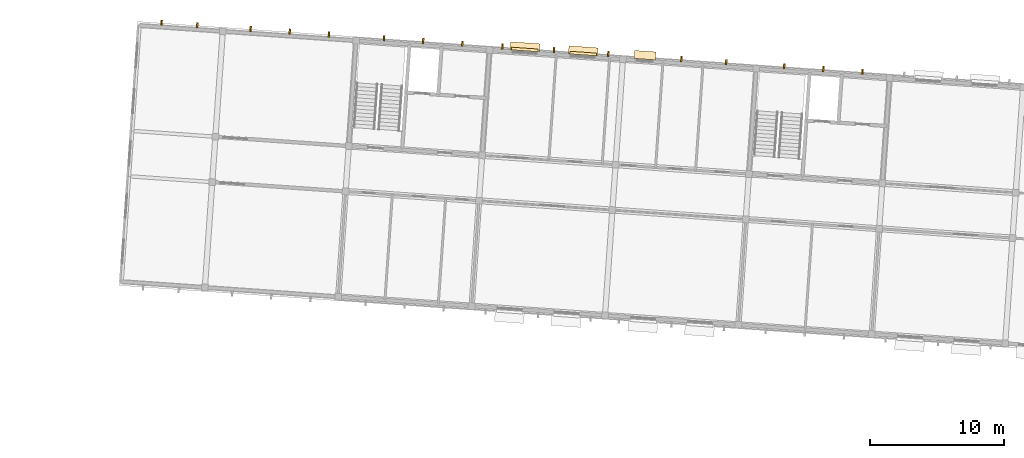
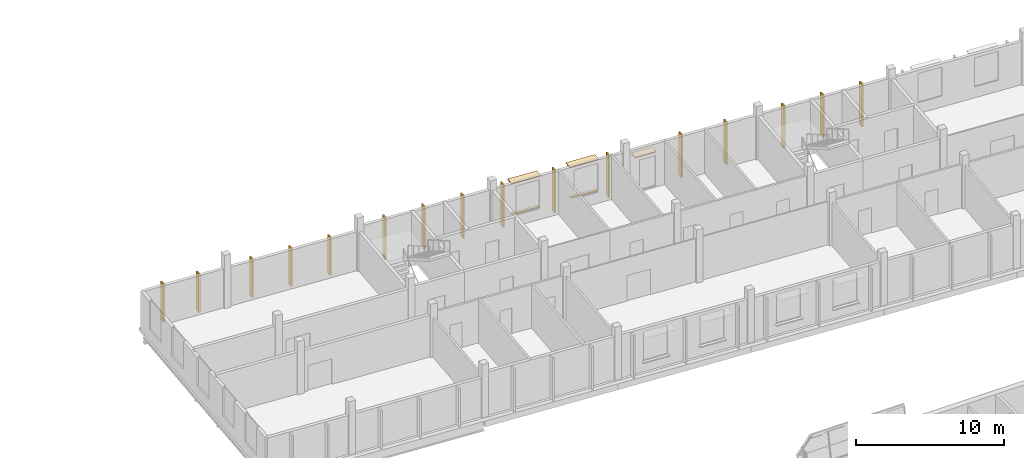
# One storey, part 95 of 95: 16 shading devices, 5 coverings.
"""IFC4 building model written with IfcOpenShell, lengths in metres."""

from ifc_helpers import new_model, si_unit, direction, frame, origin, place, context, subcontext, project, spatial, polyline, outline, extrude, material, layer, layer_set, type_object, element, save


model = new_model("IFC4")

# Units and contexts
model_context = context("Model", 3, precision=1e-05, world=origin(), true_north=direction((0.0, 1.0)))
body_context = subcontext(model_context, "Body", "Model", "MODEL_VIEW")
ifc_project = project(units=[si_unit("LENGTHUNIT", "METRE"), si_unit("AREAUNIT", "SQUARE_METRE"), si_unit("VOLUMEUNIT", "CUBIC_METRE"), si_unit("PLANEANGLEUNIT", "RADIAN"), si_unit("MASSUNIT", "GRAM", prefix="KILO")], contexts=[model_context])

# Site, building, storey
site_placement = place(None, origin())
site = spatial("IfcSite", under=ifc_project, at=site_placement, CompositionType="ELEMENT")
building_placement = place(site_placement, origin())
building = spatial("IfcBuilding", under=site, at=building_placement, Name="Windward Yard Aquatics Centre", CompositionType="ELEMENT")
storey_placement = place(building_placement, frame((0.0, 0.0, 9.39990234375)))
storey = spatial("IfcBuildingStorey", under=building, at=storey_placement, Name="L02", CompositionType="ELEMENT", Elevation=9.39990234375)

# Shading devices
ifc_material_1 = material(Name="Timber-look aluminium batten, powder coated", Category="wood")
shading_device_type = type_object("IfcShadingDeviceType", Name="W vertical fin 120x400", PredefinedType="USERDEFINED", material=ifc_material_1)
shading_device_1_placement = place(storey_placement, origin())
element("IfcShadingDevice", 1, at=shading_device_1_placement, inside=storey, type_object=shading_device_type, Name="Vertical fin W.FW.L02.N.30.2.1.1", ObjectType="FIN", PredefinedType="USERDEFINED", context=body_context, shape_type="SweptSolid", body=[
    extrude(outline(polyline([(104.55029296875, 136.468994140625), (104.669921875, 136.460693359375), (104.69775390625, 136.859619140625), (104.578125, 136.867919921875), (104.55029296875, 136.468994140625)])), origin(), (0.0, 0.0, 1.0), 3.156005859375),
])
shading_device_2_placement = place(storey_placement, origin())
element("IfcShadingDevice", 2, at=shading_device_2_placement, inside=storey, type_object=shading_device_type, Name="Vertical fin W.FW.L02.N.30.2.1.2", ObjectType="FIN", PredefinedType="USERDEFINED", context=body_context, shape_type="SweptSolid", body=[
    extrude(outline(polyline([(107.21875, 136.282470703125), (107.33837890625, 136.27392578125), (107.3662109375, 136.673095703125), (107.24658203125, 136.681396484375), (107.21875, 136.282470703125)])), origin(), (0.0, 0.0, 1.0), 3.156005859375),
])
shading_device_3_placement = place(storey_placement, origin())
element("IfcShadingDevice", 3, at=shading_device_3_placement, inside=storey, type_object=shading_device_type, Name="Vertical fin W.FW.L02.N.36.8.1.1", ObjectType="FIN", PredefinedType="USERDEFINED", context=body_context, shape_type="SweptSolid", body=[
    extrude(outline(polyline([(111.212890625, 136.003173828125), (111.332763671875, 135.99462890625), (111.360595703125, 136.393798828125), (111.240966796875, 136.402099609375), (111.212890625, 136.003173828125)])), origin(), (0.0, 0.0, 1.0), 3.156005859375),
])
shading_device_4_placement = place(storey_placement, origin())
element("IfcShadingDevice", 4, at=shading_device_4_placement, inside=storey, type_object=shading_device_type, Name="Vertical fin W.FW.L02.N.36.8.1.2", ObjectType="FIN", PredefinedType="USERDEFINED", context=body_context, shape_type="SweptSolid", body=[
    extrude(outline(polyline([(114.13916015625, 135.79833984375), (114.2587890625, 135.7900390625), (114.286865234375, 136.189208984375), (114.1669921875, 136.197509765625), (114.13916015625, 135.79833984375)])), origin(), (0.0, 0.0, 1.0), 3.156005859375),
])
shading_device_5_placement = place(storey_placement, origin())
element("IfcShadingDevice", 5, at=shading_device_5_placement, inside=storey, type_object=shading_device_type, Name="Vertical fin W.FW.L02.N.36.8.1.3", ObjectType="FIN", PredefinedType="USERDEFINED", context=body_context, shape_type="SweptSolid", body=[
    extrude(outline(polyline([(117.0654296875, 135.59375), (117.18505859375, 135.58544921875), (117.212890625, 135.984619140625), (117.09326171875, 135.992919921875), (117.0654296875, 135.59375)])), origin(), (0.0, 0.0, 1.0), 3.156005859375),
])
shading_device_6_placement = place(storey_placement, origin())
element("IfcShadingDevice", 6, at=shading_device_6_placement, inside=storey, type_object=shading_device_type, Name="Vertical fin W.FW.L02.N.46.8.1.1", ObjectType="FIN", PredefinedType="USERDEFINED", context=body_context, shape_type="SweptSolid", body=[
    extrude(outline(polyline([(121.188720703125, 135.305419921875), (121.308349609375, 135.297119140625), (121.336181640625, 135.696044921875), (121.216552734375, 135.70458984375), (121.188720703125, 135.305419921875)])), origin(), (0.0, 0.0, 1.0), 3.52001953125),
])
shading_device_7_placement = place(storey_placement, origin())
element("IfcShadingDevice", 7, at=shading_device_7_placement, inside=storey, type_object=shading_device_type, Name="Vertical fin W.FW.L02.N.46.8.1.2", ObjectType="FIN", PredefinedType="USERDEFINED", context=body_context, shape_type="SweptSolid", body=[
    extrude(outline(polyline([(124.114990234375, 135.100830078125), (124.234619140625, 135.092529296875), (124.262451171875, 135.491455078125), (124.142822265625, 135.5), (124.114990234375, 135.100830078125)])), origin(), (0.0, 0.0, 1.0), 3.52001953125),
])
shading_device_8_placement = place(storey_placement, origin())
element("IfcShadingDevice", 8, at=shading_device_8_placement, inside=storey, type_object=shading_device_type, Name="Vertical fin W.FW.L02.N.46.8.1.3", ObjectType="FIN", PredefinedType="USERDEFINED", context=body_context, shape_type="SweptSolid", body=[
    extrude(outline(polyline([(127.041015625, 134.896240234375), (127.16064453125, 134.8876953125), (127.188720703125, 135.286865234375), (127.06884765625, 135.295166015625), (127.041015625, 134.896240234375)])), origin(), (0.0, 0.0, 1.0), 3.52001953125),
])
shading_device_9_placement = place(storey_placement, origin())
element("IfcShadingDevice", 9, at=shading_device_9_placement, inside=storey, type_object=shading_device_type, Name="Vertical fin W.FW.L02.N.56.8.1.1", ObjectType="FIN", PredefinedType="USERDEFINED", context=body_context, shape_type="SweptSolid", body=[
    extrude(outline(polyline([(130.037841796875, 134.686767578125), (130.15771484375, 134.678466796875), (130.185546875, 135.077392578125), (130.06591796875, 135.085693359375), (130.037841796875, 134.686767578125)])), origin(), (0.0, 0.0, 1.0), 3.52001953125),
])
shading_device_10_placement = place(storey_placement, origin())
element("IfcShadingDevice", 10, at=shading_device_10_placement, inside=storey, type_object=shading_device_type, Name="Vertical fin W.FW.L02.N.56.8.2.1", ObjectType="FIN", PredefinedType="USERDEFINED", context=body_context, shape_type="SweptSolid", body=[
    extrude(outline(polyline([(133.903564453125, 134.41650390625), (134.023193359375, 134.407958984375), (134.051025390625, 134.80712890625), (133.931396484375, 134.8154296875), (133.903564453125, 134.41650390625)])), origin(), (0.0, 0.0, 1.0), 3.52001953125),
])
shading_device_11_placement = place(storey_placement, origin())
element("IfcShadingDevice", 11, at=shading_device_11_placement, inside=storey, type_object=shading_device_type, Name="Vertical fin W.FW.L02.N.56.8.3.1", ObjectType="FIN", PredefinedType="USERDEFINED", context=body_context, shape_type="SweptSolid", body=[
    extrude(outline(polyline([(137.9560546875, 134.133056640625), (138.07568359375, 134.12451171875), (138.103759765625, 134.523681640625), (137.98388671875, 134.531982421875), (137.9560546875, 134.133056640625)])), origin(), (0.0, 0.0, 1.0), 3.52001953125),
])
shading_device_12_placement = place(storey_placement, origin())
element("IfcShadingDevice", 12, at=shading_device_12_placement, inside=storey, type_object=shading_device_type, Name="Vertical fin W.FW.L02.N.66.8.1.1", ObjectType="FIN", PredefinedType="USERDEFINED", context=body_context, shape_type="SweptSolid", body=[
    extrude(outline(polyline([(143.424072265625, 133.75048828125), (143.543701171875, 133.7421875), (143.571533203125, 134.141357421875), (143.451904296875, 134.149658203125), (143.424072265625, 133.75048828125)])), origin(), (0.0, 0.0, 1.0), 3.52001953125),
])
shading_device_13_placement = place(storey_placement, origin())
element("IfcShadingDevice", 13, at=shading_device_13_placement, inside=storey, type_object=shading_device_type, Name="Vertical fin W.FW.L02.N.66.8.1.2", ObjectType="FIN", PredefinedType="USERDEFINED", context=body_context, shape_type="SweptSolid", body=[
    extrude(outline(polyline([(146.7783203125, 133.51611328125), (146.89794921875, 133.5078125), (146.92578125, 133.90673828125), (146.80615234375, 133.9150390625), (146.7783203125, 133.51611328125)])), origin(), (0.0, 0.0, 1.0), 3.52001953125),
])
shading_device_14_placement = place(storey_placement, origin())
element("IfcShadingDevice", 14, at=shading_device_14_placement, inside=storey, type_object=shading_device_type, Name="Vertical fin W.FW.L02.N.76.8.1.1", ObjectType="FIN", PredefinedType="USERDEFINED", context=body_context, shape_type="SweptSolid", body=[
    extrude(outline(polyline([(151.115478515625, 133.212890625), (151.2353515625, 133.204345703125), (151.26318359375, 133.603515625), (151.1435546875, 133.61181640625), (151.115478515625, 133.212890625)])), origin(), (0.0, 0.0, 1.0), 3.52001953125),
])
shading_device_15_placement = place(storey_placement, origin())
element("IfcShadingDevice", 15, at=shading_device_15_placement, inside=storey, type_object=shading_device_type, Name="Vertical fin W.FW.L02.N.76.8.1.2", ObjectType="FIN", PredefinedType="USERDEFINED", context=body_context, shape_type="SweptSolid", body=[
    extrude(outline(polyline([(154.041748046875, 133.008056640625), (154.16162109375, 132.999755859375), (154.189453125, 133.398681640625), (154.069580078125, 133.4072265625), (154.041748046875, 133.008056640625)])), origin(), (0.0, 0.0, 1.0), 3.52001953125),
])
shading_device_16_placement = place(storey_placement, origin())
element("IfcShadingDevice", 16, at=shading_device_16_placement, inside=storey, type_object=shading_device_type, Name="Vertical fin W.FW.L02.N.76.8.1.3", ObjectType="FIN", PredefinedType="USERDEFINED", context=body_context, shape_type="SweptSolid", body=[
    extrude(outline(polyline([(156.968017578125, 132.803466796875), (157.087646484375, 132.795166015625), (157.115478515625, 133.194091796875), (156.995849609375, 133.202392578125), (156.968017578125, 132.803466796875)])), origin(), (0.0, 0.0, 1.0), 3.52001953125),
])

# Coverings
ifc_material_2 = material(Name="Aluminium composite hood, powder coated", Category="aluminium")
ifc_layer_1 = layer(ifc_material_2, 0.080078125)
ifc_layer_set_1 = layer_set([ifc_layer_1], Name="W window hood aluminium 1600x600")
covering_type_1 = type_object("IfcCoveringType", Name="W window hood aluminium 1600x600", PredefinedType="CLADDING", material=ifc_layer_set_1)
covering_1_placement = place(storey_placement, frame((0.0, 0.0, 2.650146484375)))
element("IfcCovering", 17, at=covering_1_placement, inside=storey, type_object=covering_type_1, Name="Window hood W2510", PredefinedType="CLADDING", context=body_context, shape_type="SweptSolid", body=[
    extrude(outline(polyline([(139.961181640625, 133.992919921875), (141.557373046875, 133.881103515625), (141.59912109375, 134.479736328125), (140.003173828125, 134.59130859375), (139.961181640625, 133.992919921875)])), origin(), (0.0, 0.0, 1.0), 0.079833984375),
])
ifc_layer_2 = layer(ifc_material_2, 0.080078125)
ifc_layer_set_2 = layer_set([ifc_layer_2], Name="W window hood aluminium 2200x600")
covering_type_2 = type_object("IfcCoveringType", Name="W window hood aluminium 2200x600", PredefinedType="CLADDING", material=ifc_layer_set_2)
covering_2_placement = place(storey_placement, frame((0.0, 0.0, 3.35009765625)))
element("IfcCovering", 18, at=covering_2_placement, inside=storey, type_object=covering_type_2, Name="Window hood W2508", PredefinedType="CLADDING", context=body_context, shape_type="SweptSolid", body=[
    extrude(outline(polyline([(130.683837890625, 134.6416015625), (132.87841796875, 134.488037109375), (132.92041015625, 135.086669921875), (130.7255859375, 135.239990234375), (130.683837890625, 134.6416015625)])), origin(), (0.0, 0.0, 1.0), 0.080078125),
])
covering_3_placement = place(storey_placement, frame((0.0, 0.0, 3.35009765625)))
element("IfcCovering", 19, at=covering_3_placement, inside=storey, type_object=covering_type_2, Name="Window hood W2509", PredefinedType="CLADDING", context=body_context, shape_type="SweptSolid", body=[
    extrude(outline(polyline([(135.048095703125, 134.33642578125), (137.242919921875, 134.182861328125), (137.28466796875, 134.781494140625), (135.090087890625, 134.934814453125), (135.048095703125, 134.33642578125)])), origin(), (0.0, 0.0, 1.0), 0.080078125),
])
ifc_material_3 = material(Name="Limestone sill", Category="masonry")
ifc_layer_3 = layer(ifc_material_3, 0.080078125)
ifc_layer_set_3 = layer_set([ifc_layer_3], Name="W window sill stone 2000x200")
covering_type_3 = type_object("IfcCoveringType", Name="W window sill stone 2000x200", PredefinedType="CLADDING", material=ifc_layer_set_3)
covering_4_placement = place(storey_placement, frame((0.0, 0.0, 0.820068359375)))
element("IfcCovering", 20, at=covering_4_placement, inside=storey, type_object=covering_type_3, Name="Window sill W2508", PredefinedType="CLADDING", context=body_context, shape_type="SweptSolid", body=[
    extrude(outline(polyline([(130.78369140625, 134.634521484375), (132.77880859375, 134.4951171875), (132.79248046875, 134.694580078125), (130.797607421875, 134.833984375), (130.78369140625, 134.634521484375)])), origin(), (0.0, 0.0, 1.0), 0.080078125),
])
covering_5_placement = place(storey_placement, frame((0.0, 0.0, 0.820068359375)))
element("IfcCovering", 21, at=covering_5_placement, inside=storey, type_object=covering_type_3, Name="Window sill W2509", PredefinedType="CLADDING", context=body_context, shape_type="SweptSolid", body=[
    extrude(outline(polyline([(135.14794921875, 134.329345703125), (137.14306640625, 134.18994140625), (137.156982421875, 134.389404296875), (135.161865234375, 134.52880859375), (135.14794921875, 134.329345703125)])), origin(), (0.0, 0.0, 1.0), 0.080078125),
])

save(model, "model.ifc")
